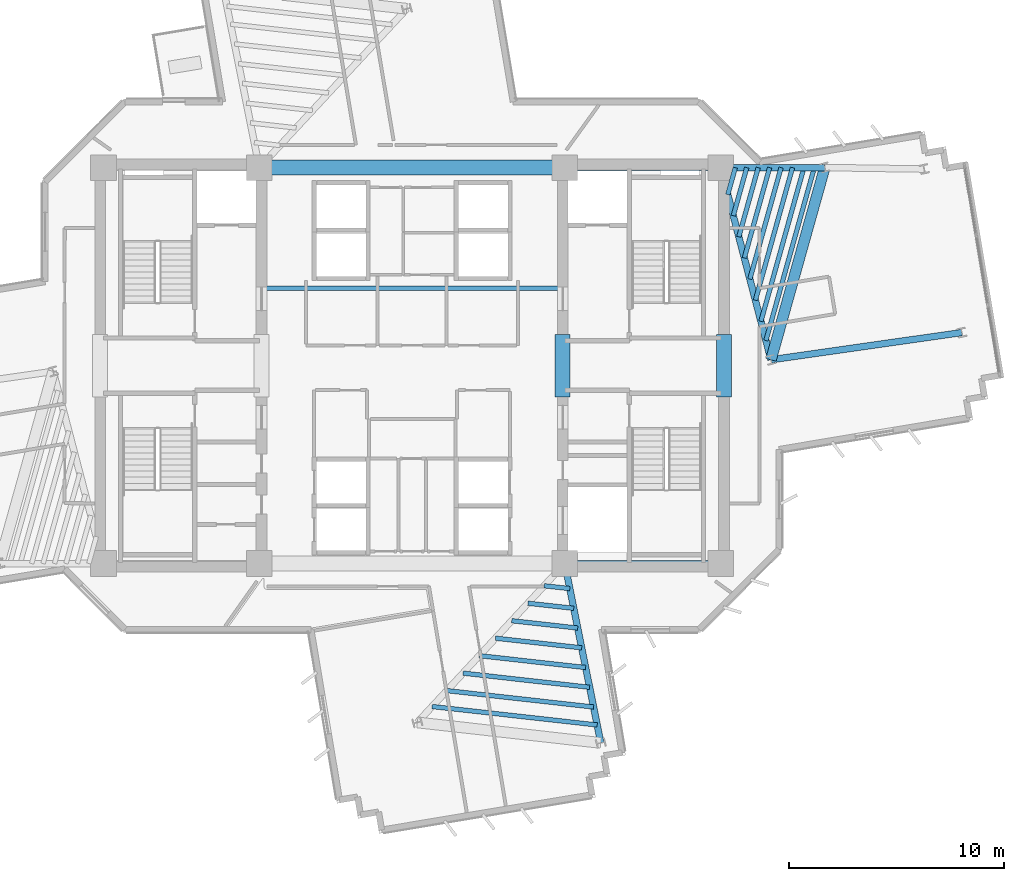
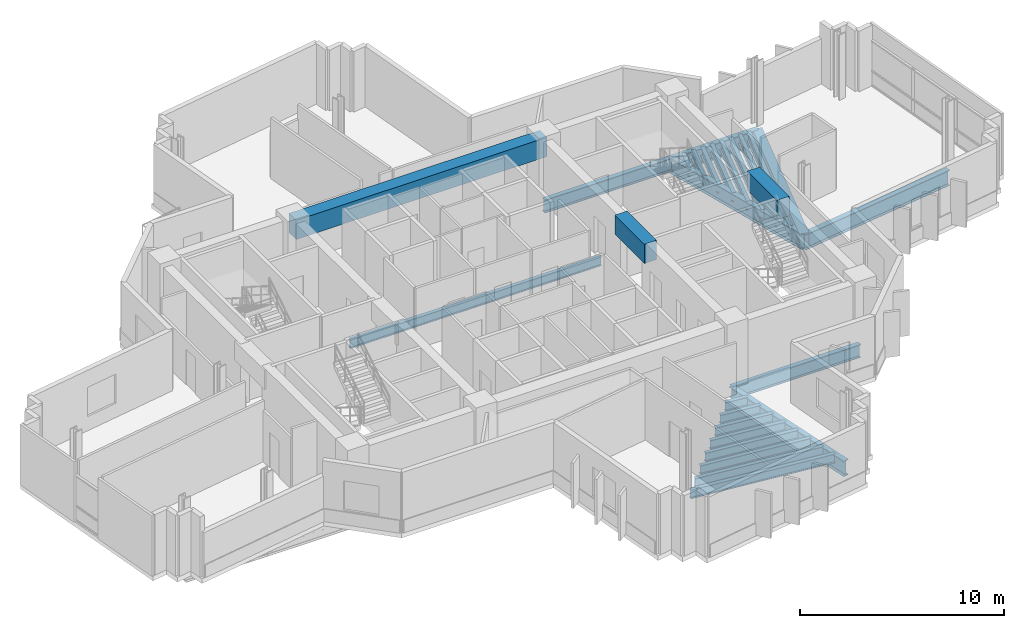
# One storey, part 4 of 15: 27 beams.
"""IFC4 building model written with IfcOpenShell, lengths in metres."""

from ifc_helpers import new_model, si_unit, direction, frame, origin, origin_2d, place, context, subcontext, project, spatial, rectangle, i_section, extrude, source, transform, mapped, material, material_profile, profile_set, type_object, element, save


model = new_model("IFC4")

# Units and contexts
model_context = context("Model", 3, precision=1e-05, world=origin(), true_north=direction((0.0, 1.0)))
body_context = subcontext(model_context, "Body", "Model", "MODEL_VIEW")
ifc_project = project(units=[si_unit("LENGTHUNIT", "METRE"), si_unit("AREAUNIT", "SQUARE_METRE"), si_unit("VOLUMEUNIT", "CUBIC_METRE"), si_unit("PLANEANGLEUNIT", "RADIAN"), si_unit("MASSUNIT", "GRAM", prefix="KILO")], contexts=[model_context])

# Site, building, storey
site_placement = place(None, origin())
site = spatial("IfcSite", under=ifc_project, at=site_placement, CompositionType="ELEMENT")
building_placement = place(site_placement, origin())
building = spatial("IfcBuilding", under=site, at=building_placement, Name="Zahravan Cultural Tower", CompositionType="ELEMENT")
storey_placement = place(building_placement, frame((0.0, 0.0, 139.5)))
storey = spatial("IfcBuildingStorey", under=building, at=storey_placement, Name="L31", CompositionType="ELEMENT", Elevation=139.5)

# Beams
ifc_material_1 = material(Name="Concrete C50/60", Category="concrete")
ifc_material_profile_1 = material_profile(ifc_material_1, rectangle(XDim=0.699951171875, YDim=1.14990234375, at=origin_2d()), Name="RC700X1150")
ifc_profile_set_1 = profile_set([ifc_material_profile_1], Name="Concrete C50/60")
beam_type_1 = type_object("IfcBeamType", Name="BM-LN-RC700X1150", PredefinedType="LINTEL", material=ifc_profile_set_1)
shared_shape_1 = source(origin(), body_context, "Body", "SweptSolid", [
    extrude(rectangle(XDim=0.699951171875, YDim=1.14990234375, at=origin_2d()), origin(), (0.0, 0.0, 1.0), 14.2001953125),
])
beam_1_placement = place(storey_placement, frame((28.89990234375, 36.199951171875, 3.044921875), z_axis=(1.0, 0.0, 0.0), x_axis=(0.0, 1.0, 0.0)))
element("IfcBeam", 1, at=beam_1_placement, inside=storey, type_object=beam_type_1, Name="L31 Beam LN-L31-N", PredefinedType="LINTEL", context=body_context, shape_type="MappedRepresentation", body=[
    mapped(shared_shape_1, transform((0.0, 0.0, 0.0), x_axis=(1.0, 0.0, 0.0), y_axis=(0.0, 1.0, 0.0), z_axis=(0.0, 0.0, 1.0), scale=1.0)),
])
shared_shape_2 = source(origin(), body_context, "Body", "SweptSolid", [
    extrude(rectangle(XDim=0.699951171875, YDim=1.14990234375, at=origin_2d()), origin(), (0.0, 0.0, 1.0), 2.89990234375),
])
for number, where, z_axis, x_axis, name in (
    (2, (43.0, 25.550048828125, 3.044921875), (0.0, 1.0, 0.0), (-1.0, 0.0, 0.0), "L31 Beam LN-L31-PEW"),
    (3, (50.5, 25.550048828125, 3.044921875), (0.0, 1.0, 0.0), (-1.0, 0.0, 0.0), "L31 Beam LN-L31-PEE"),
):
    element("IfcBeam", number, at=place(storey_placement, frame(where, z_axis=z_axis, x_axis=x_axis)), inside=storey, type_object=beam_type_1, Name=name, PredefinedType="LINTEL", context=body_context, shape_type="MappedRepresentation", body=[
        mapped(shared_shape_2, transform((0.0, 0.0, 0.0), x_axis=(1.0, 0.0, 0.0), y_axis=(0.0, 1.0, 0.0), z_axis=(0.0, 0.0, 1.0), scale=1.0)),
    ])
ifc_material_2 = material(Name="Steel ASTM A992 Grade 50", Category="steel")
ifc_material_profile_2 = material_profile(ifc_material_2, i_section(OverallWidth=0.26611328125, OverallDepth=0.780029296875, WebThickness=0.0166015625, FlangeThickness=0.030029296875, FilletRadius=0.01904296875, at=origin_2d()), Name="W30X148")
ifc_profile_set_2 = profile_set([ifc_material_profile_2], Name="Steel ASTM A992 Grade 50")
beam_type_2 = type_object("IfcBeamType", Name="BM-G-W30X148", PredefinedType="BEAM", material=ifc_profile_set_2)
shared_shape_3 = source(origin(), body_context, "Body", "SweptSolid", [
    extrude(i_section(OverallWidth=0.26611328125, OverallDepth=0.780029296875, WebThickness=0.0166015625, FlangeThickness=0.030029296875, FilletRadius=0.01904296875, at=origin_2d()), origin(), (0.0, 0.0, 1.0), 7.25),
])
for number, where, z_axis, x_axis, name in (
    (4, (43.10009765625, 17.800048828125, -0.669921875), (1.0, 0.0, 0.0), (0.0, 1.0, 0.0), "L31 Beam BG-L31-04"),
    (5, (43.10009765625, 36.199951171875, -0.669921875), (1.0, 0.0, 0.0), (0.0, 1.0, 0.0), "L31 Beam BG-L31-05"),
):
    element("IfcBeam", number, at=place(storey_placement, frame(where, z_axis=z_axis, x_axis=x_axis)), inside=storey, type_object=beam_type_2, Name=name, PredefinedType="BEAM", context=body_context, shape_type="MappedRepresentation", body=[
        mapped(shared_shape_3, transform((0.0, 0.0, 0.0), x_axis=(1.0, 0.0, 0.0), y_axis=(0.0, 1.0, 0.0), z_axis=(0.0, 0.0, 1.0), scale=1.0)),
    ])
ifc_material_profile_3 = material_profile(ifc_material_2, i_section(OverallWidth=0.304931640625, OverallDepth=0.9189453125, WebThickness=0.017333984375, FlangeThickness=0.02783203125, FilletRadius=0.02392578125, at=origin_2d()), Name="W36X170")
ifc_profile_set_3 = profile_set([ifc_material_profile_3], Name="Steel ASTM A992 Grade 50")
beam_type_3 = type_object("IfcBeamType", Name="BM-G-W36X170", PredefinedType="BEAM", material=ifc_profile_set_3)
shared_shape_4 = source(origin(), body_context, "Body", "SweptSolid", [
    extrude(i_section(OverallWidth=0.304931640625, OverallDepth=0.9189453125, WebThickness=0.017333984375, FlangeThickness=0.02783203125, FilletRadius=0.02392578125, at=origin_2d()), origin(), (0.0, 0.0, 1.0), 9.22900390625),
])
beam_2_placement = place(storey_placement, frame((50.35009765625, 36.199951171875, -0.739501953125), z_axis=(0.252922608408, -0.967486513682, 0.0), x_axis=(0.967486513682, 0.252922608408, 0.0)))
element("IfcBeam", 6, at=beam_2_placement, inside=storey, type_object=beam_type_3, Name="L31 Beam BG-L31-11", PredefinedType="BEAM", context=body_context, shape_type="MappedRepresentation", body=[
    mapped(shared_shape_4, transform((0.0, 0.0, 0.0), x_axis=(1.0, 0.0, 0.0), y_axis=(0.0, 1.0, 0.0), z_axis=(0.0, 0.0, 1.0), scale=1.0)),
])
shared_shape_5 = source(origin(), body_context, "Body", "SweptSolid", [
    extrude(i_section(OverallWidth=0.304931640625, OverallDepth=0.9189453125, WebThickness=0.017333984375, FlangeThickness=0.02783203125, FilletRadius=0.02392578125, at=origin_2d()), origin(), (0.0, 0.0, 1.0), 4.834716796875),
])
beam_3_placement = place(storey_placement, frame((50.35009765625, 36.199951171875, -0.739501953125), z_axis=(0.99999920313, 0.001262433979, 0.0), x_axis=(-0.001262433979, 0.99999920313, 0.0)))
element("IfcBeam", 7, at=beam_3_placement, inside=storey, type_object=beam_type_3, Name="L31 Beam BG-L31-12", PredefinedType="BEAM", context=body_context, shape_type="MappedRepresentation", body=[
    mapped(shared_shape_5, transform((0.0, 0.0, 0.0), x_axis=(1.0, 0.0, 0.0), y_axis=(0.0, 1.0, 0.0), z_axis=(0.0, 0.0, 1.0), scale=1.0)),
])
shared_shape_6 = source(origin(), body_context, "Body", "SweptSolid", [
    extrude(i_section(OverallWidth=0.304931640625, OverallDepth=0.9189453125, WebThickness=0.017333984375, FlangeThickness=0.02783203125, FilletRadius=0.02392578125, at=origin_2d()), origin(), (0.0, 0.0, 1.0), 8.50732421875),
])
beam_4_placement = place(storey_placement, frame((43.10009765625, 17.800048828125, -0.739501953125), z_axis=(0.196524514012, -0.980498911469, 0.0), x_axis=(0.980498911469, 0.196524514012, 0.0)))
element("IfcBeam", 8, at=beam_4_placement, inside=storey, type_object=beam_type_3, Name="L31 Beam BG-L31-10", PredefinedType="BEAM", context=body_context, shape_type="MappedRepresentation", body=[
    mapped(shared_shape_6, transform((0.0, 0.0, 0.0), x_axis=(1.0, 0.0, 0.0), y_axis=(0.0, 1.0, 0.0), z_axis=(0.0, 0.0, 1.0), scale=1.0)),
])
shared_shape_7 = source(origin(), body_context, "Body", "SweptSolid", [
    extrude(i_section(OverallWidth=0.304931640625, OverallDepth=0.9189453125, WebThickness=0.017333984375, FlangeThickness=0.02783203125, FilletRadius=0.02392578125, at=origin_2d()), origin(), (0.0, 0.0, 1.0), 8.9580078125),
])
beam_5_placement = place(storey_placement, frame((52.684326171875, 27.27099609375, -0.739501953125), z_axis=(0.990000122431, 0.141066500584, 0.0), x_axis=(-0.141066500584, 0.990000122431, 0.0)))
element("IfcBeam", 9, at=beam_5_placement, inside=storey, type_object=beam_type_3, Name="L31 Beam BG-L31-15", PredefinedType="BEAM", context=body_context, shape_type="MappedRepresentation", body=[
    mapped(shared_shape_7, transform((0.0, 0.0, 0.0), x_axis=(1.0, 0.0, 0.0), y_axis=(0.0, 1.0, 0.0), z_axis=(0.0, 0.0, 1.0), scale=1.0)),
])
ifc_material_profile_4 = material_profile(ifc_material_1, rectangle(XDim=0.5, YDim=0.85009765625, at=origin_2d()), Name="RC500X850")
ifc_profile_set_4 = profile_set([ifc_material_profile_4], Name="Concrete C50/60")
beam_type_4 = type_object("IfcBeamType", Name="BM-SP-RC500X850", PredefinedType="SPANDREL", material=ifc_profile_set_4)
shared_shape_8 = source(origin(), body_context, "Body", "SweptSolid", [
    extrude(rectangle(XDim=0.5, YDim=0.85009765625, at=origin_2d()), origin(), (0.0, 0.0, 1.0), 9.2783203125),
])
beam_6_placement = place(storey_placement, frame((52.684326171875, 27.27099609375, -0.705078125), z_axis=(0.269497187032, 0.963001176625, 0.0), x_axis=(-0.963001176625, 0.269497187032, 0.0)))
element("IfcBeam", 10, at=beam_6_placement, inside=storey, type_object=beam_type_4, Name="L31 Beam SP-L31-21", PredefinedType="SPANDREL", context=body_context, shape_type="MappedRepresentation", body=[
    mapped(shared_shape_8, transform((0.0, 0.0, 0.0), x_axis=(1.0, 0.0, 0.0), y_axis=(0.0, 1.0, 0.0), z_axis=(0.0, 0.0, 1.0), scale=1.0)),
])
ifc_material_profile_5 = material_profile(ifc_material_2, i_section(OverallWidth=0.2099609375, OverallDepth=0.532958984375, WebThickness=0.01025390625, FlangeThickness=0.015625, FilletRadius=0.013916015625, at=origin_2d()), Name="W21X62")
ifc_profile_set_5 = profile_set([ifc_material_profile_5], Name="Steel ASTM A992 Grade 50")
beam_type_5 = type_object("IfcBeamType", Name="BM-J-W21X62", PredefinedType="JOIST", material=ifc_profile_set_5)
shared_shape_9 = source(origin(), body_context, "Body", "SweptSolid", [
    extrude(i_section(OverallWidth=0.2099609375, OverallDepth=0.532958984375, WebThickness=0.01025390625, FlangeThickness=0.015625, FilletRadius=0.013916015625, at=origin_2d()), origin(), (0.0, 0.0, 1.0), 14.2001953125),
])
beam_7_placement = place(storey_placement, frame((28.89990234375, 30.60009765625, -0.54638671875), z_axis=(1.0, 0.0, 0.0), x_axis=(0.0, 1.0, 0.0)))
element("IfcBeam", 11, at=beam_7_placement, inside=storey, type_object=beam_type_5, Name="L31 Beam BJ-L31-23", PredefinedType="JOIST", context=body_context, shape_type="MappedRepresentation", body=[
    mapped(shared_shape_9, transform((0.0, 0.0, 0.0), x_axis=(1.0, 0.0, 0.0), y_axis=(0.0, 1.0, 0.0), z_axis=(0.0, 0.0, 1.0), scale=1.0)),
])
shared_shape_10 = source(origin(), body_context, "Body", "SweptSolid", [
    extrude(i_section(OverallWidth=0.2099609375, OverallDepth=0.532958984375, WebThickness=0.01025390625, FlangeThickness=0.015625, FilletRadius=0.013916015625, at=origin_2d()), origin(), (0.0, 0.0, 1.0), 1.299072265625),
])
beam_8_placement = place(storey_placement, frame((50.6767578125, 34.949951171875, -0.54638671875), z_axis=(0.269504444708, 0.962999145525, 0.0), x_axis=(-0.962999145525, 0.269504444708, 0.0)))
element("IfcBeam", 12, at=beam_8_placement, inside=storey, type_object=beam_type_5, Name="L31 Beam BJ-L31-40", PredefinedType="JOIST", context=body_context, shape_type="MappedRepresentation", body=[
    mapped(shared_shape_10, transform((0.0, 0.0, 0.0), x_axis=(1.0, 0.0, 0.0), y_axis=(0.0, 1.0, 0.0), z_axis=(0.0, 0.0, 1.0), scale=1.0)),
])
shared_shape_11 = source(origin(), body_context, "Body", "SweptSolid", [
    extrude(i_section(OverallWidth=0.2099609375, OverallDepth=0.532958984375, WebThickness=0.01025390625, FlangeThickness=0.015625, FilletRadius=0.013916015625, at=origin_2d()), origin(), (0.0, 0.0, 1.0), 2.3193359375),
])
beam_9_placement = place(storey_placement, frame((50.93359375, 33.9677734375, -0.54638671875), z_axis=(0.269462038626, 0.963011012263, 0.0), x_axis=(-0.963011012263, 0.269462038626, 0.0)))
element("IfcBeam", 13, at=beam_9_placement, inside=storey, type_object=beam_type_5, Name="L31 Beam BJ-L31-41", PredefinedType="JOIST", context=body_context, shape_type="MappedRepresentation", body=[
    mapped(shared_shape_11, transform((0.0, 0.0, 0.0), x_axis=(1.0, 0.0, 0.0), y_axis=(0.0, 1.0, 0.0), z_axis=(0.0, 0.0, 1.0), scale=1.0)),
])
shared_shape_12 = source(origin(), body_context, "Body", "SweptSolid", [
    extrude(i_section(OverallWidth=0.2099609375, OverallDepth=0.532958984375, WebThickness=0.01025390625, FlangeThickness=0.015625, FilletRadius=0.013916015625, at=origin_2d()), origin(), (0.0, 0.0, 1.0), 3.340087890625),
])
beam_10_placement = place(storey_placement, frame((51.190185546875, 32.985595703125, -0.54638671875), z_axis=(0.269562146951, 0.962982995141, 0.0), x_axis=(-0.962982995141, 0.269562146951, 0.0)))
element("IfcBeam", 14, at=beam_10_placement, inside=storey, type_object=beam_type_5, Name="L31 Beam BJ-L31-42", PredefinedType="JOIST", context=body_context, shape_type="MappedRepresentation", body=[
    mapped(shared_shape_12, transform((0.0, 0.0, 0.0), x_axis=(1.0, 0.0, 0.0), y_axis=(0.0, 1.0, 0.0), z_axis=(0.0, 0.0, 1.0), scale=1.0)),
])
shared_shape_13 = source(origin(), body_context, "Body", "SweptSolid", [
    extrude(i_section(OverallWidth=0.2099609375, OverallDepth=0.532958984375, WebThickness=0.01025390625, FlangeThickness=0.015625, FilletRadius=0.013916015625, at=origin_2d()), origin(), (0.0, 0.0, 1.0), 4.36083984375),
])
beam_11_placement = place(storey_placement, frame((51.447021484375, 32.00341796875, -0.54638671875), z_axis=(0.269511557673, 0.962997154866, 0.0), x_axis=(-0.962997154866, 0.269511557673, 0.0)))
element("IfcBeam", 15, at=beam_11_placement, inside=storey, type_object=beam_type_5, Name="L31 Beam BJ-L31-43", PredefinedType="JOIST", context=body_context, shape_type="MappedRepresentation", body=[
    mapped(shared_shape_13, transform((0.0, 0.0, 0.0), x_axis=(1.0, 0.0, 0.0), y_axis=(0.0, 1.0, 0.0), z_axis=(0.0, 0.0, 1.0), scale=1.0)),
])
shared_shape_14 = source(origin(), body_context, "Body", "SweptSolid", [
    extrude(i_section(OverallWidth=0.2099609375, OverallDepth=0.532958984375, WebThickness=0.01025390625, FlangeThickness=0.015625, FilletRadius=0.013916015625, at=origin_2d()), origin(), (0.0, 0.0, 1.0), 5.3818359375),
])
beam_12_placement = place(storey_placement, frame((51.703857421875, 31.02099609375, -0.54638671875), z_axis=(0.269510454638, 0.962997463569, 0.0), x_axis=(-0.962997463569, 0.269510454638, 0.0)))
element("IfcBeam", 16, at=beam_12_placement, inside=storey, type_object=beam_type_5, Name="L31 Beam BJ-L31-44", PredefinedType="JOIST", context=body_context, shape_type="MappedRepresentation", body=[
    mapped(shared_shape_14, transform((0.0, 0.0, 0.0), x_axis=(1.0, 0.0, 0.0), y_axis=(0.0, 1.0, 0.0), z_axis=(0.0, 0.0, 1.0), scale=1.0)),
])
shared_shape_15 = source(origin(), body_context, "Body", "SweptSolid", [
    extrude(i_section(OverallWidth=0.2099609375, OverallDepth=0.532958984375, WebThickness=0.01025390625, FlangeThickness=0.015625, FilletRadius=0.013916015625, at=origin_2d()), origin(), (0.0, 0.0, 1.0), 6.402099609375),
])
beam_13_placement = place(storey_placement, frame((51.960693359375, 30.038818359375, -0.54638671875), z_axis=(0.269494133533, 0.963002031146, 0.0), x_axis=(-0.963002031146, 0.269494133533, 0.0)))
element("IfcBeam", 17, at=beam_13_placement, inside=storey, type_object=beam_type_5, Name="L31 Beam BJ-L31-45", PredefinedType="JOIST", context=body_context, shape_type="MappedRepresentation", body=[
    mapped(shared_shape_15, transform((0.0, 0.0, 0.0), x_axis=(1.0, 0.0, 0.0), y_axis=(0.0, 1.0, 0.0), z_axis=(0.0, 0.0, 1.0), scale=1.0)),
])
shared_shape_16 = source(origin(), body_context, "Body", "SweptSolid", [
    extrude(i_section(OverallWidth=0.2099609375, OverallDepth=0.532958984375, WebThickness=0.01025390625, FlangeThickness=0.015625, FilletRadius=0.013916015625, at=origin_2d()), origin(), (0.0, 0.0, 1.0), 7.4228515625),
])
beam_14_placement = place(storey_placement, frame((52.21728515625, 29.056640625, -0.54638671875), z_axis=(0.269504266128, 0.962999195503, 0.0), x_axis=(-0.962999195503, 0.269504266128, 0.0)))
element("IfcBeam", 18, at=beam_14_placement, inside=storey, type_object=beam_type_5, Name="L31 Beam BJ-L31-46", PredefinedType="JOIST", context=body_context, shape_type="MappedRepresentation", body=[
    mapped(shared_shape_16, transform((0.0, 0.0, 0.0), x_axis=(1.0, 0.0, 0.0), y_axis=(0.0, 1.0, 0.0), z_axis=(0.0, 0.0, 1.0), scale=1.0)),
])
shared_shape_17 = source(origin(), body_context, "Body", "SweptSolid", [
    extrude(i_section(OverallWidth=0.2099609375, OverallDepth=0.532958984375, WebThickness=0.01025390625, FlangeThickness=0.015625, FilletRadius=0.013916015625, at=origin_2d()), origin(), (0.0, 0.0, 1.0), 8.350830078125),
])
beam_15_placement = place(storey_placement, frame((52.450927734375, 28.163818359375, -0.54638671875), z_axis=(0.269496539555, 0.963001357822, 0.0), x_axis=(-0.963001357822, 0.269496539555, 0.0)))
element("IfcBeam", 19, at=beam_15_placement, inside=storey, type_object=beam_type_5, Name="L31 Beam BJ-L31-47", PredefinedType="JOIST", context=body_context, shape_type="MappedRepresentation", body=[
    mapped(shared_shape_17, transform((0.0, 0.0, 0.0), x_axis=(1.0, 0.0, 0.0), y_axis=(0.0, 1.0, 0.0), z_axis=(0.0, 0.0, 1.0), scale=1.0)),
])
shared_shape_18 = source(origin(), body_context, "Body", "SweptSolid", [
    extrude(i_section(OverallWidth=0.2099609375, OverallDepth=0.532958984375, WebThickness=0.01025390625, FlangeThickness=0.015625, FilletRadius=0.013916015625, at=origin_2d()), origin(), (0.0, 0.0, 1.0), 1.201171875),
])
beam_16_placement = place(storey_placement, frame((42.140380859375, 16.765625, -0.54638671875), z_axis=(0.99379916149, -0.111190047317, 0.0), x_axis=(0.111190047317, 0.99379916149, 0.0)))
element("IfcBeam", 20, at=beam_16_placement, inside=storey, type_object=beam_type_5, Name="L31 Beam BJ-L31-32", PredefinedType="JOIST", context=body_context, shape_type="MappedRepresentation", body=[
    mapped(shared_shape_18, transform((0.0, 0.0, 0.0), x_axis=(1.0, 0.0, 0.0), y_axis=(0.0, 1.0, 0.0), z_axis=(0.0, 0.0, 1.0), scale=1.0)),
])
shared_shape_19 = source(origin(), body_context, "Body", "SweptSolid", [
    extrude(i_section(OverallWidth=0.2099609375, OverallDepth=0.532958984375, WebThickness=0.01025390625, FlangeThickness=0.015625, FilletRadius=0.013916015625, at=origin_2d()), origin(), (0.0, 0.0, 1.0), 2.144775390625),
])
beam_17_placement = place(storey_placement, frame((41.386474609375, 15.953125, -0.54638671875), z_axis=(0.993797370806, -0.111206051, 0.0), x_axis=(0.111206051, 0.993797370806, 0.0)))
element("IfcBeam", 21, at=beam_17_placement, inside=storey, type_object=beam_type_5, Name="L31 Beam BJ-L31-33", PredefinedType="JOIST", context=body_context, shape_type="MappedRepresentation", body=[
    mapped(shared_shape_19, transform((0.0, 0.0, 0.0), x_axis=(1.0, 0.0, 0.0), y_axis=(0.0, 1.0, 0.0), z_axis=(0.0, 0.0, 1.0), scale=1.0)),
])
shared_shape_20 = source(origin(), body_context, "Body", "SweptSolid", [
    extrude(i_section(OverallWidth=0.2099609375, OverallDepth=0.532958984375, WebThickness=0.01025390625, FlangeThickness=0.015625, FilletRadius=0.013916015625, at=origin_2d()), origin(), (0.0, 0.0, 1.0), 3.088623046875),
])
beam_18_placement = place(storey_placement, frame((40.63232421875, 15.140380859375, -0.54638671875), z_axis=(0.993805407368, -0.111134208443, 0.0), x_axis=(0.111134208443, 0.993805407368, 0.0)))
element("IfcBeam", 22, at=beam_18_placement, inside=storey, type_object=beam_type_5, Name="L31 Beam BJ-L31-34", PredefinedType="JOIST", context=body_context, shape_type="MappedRepresentation", body=[
    mapped(shared_shape_20, transform((0.0, 0.0, 0.0), x_axis=(1.0, 0.0, 0.0), y_axis=(0.0, 1.0, 0.0), z_axis=(0.0, 0.0, 1.0), scale=1.0)),
])
shared_shape_21 = source(origin(), body_context, "Body", "SweptSolid", [
    extrude(i_section(OverallWidth=0.2099609375, OverallDepth=0.532958984375, WebThickness=0.01025390625, FlangeThickness=0.015625, FilletRadius=0.013916015625, at=origin_2d()), origin(), (0.0, 0.0, 1.0), 4.0322265625),
])
beam_19_placement = place(storey_placement, frame((39.87841796875, 14.327880859375, -0.54638671875), z_axis=(0.993802245601, -0.11116247855, 0.0), x_axis=(0.11116247855, 0.993802245601, 0.0)))
element("IfcBeam", 23, at=beam_19_placement, inside=storey, type_object=beam_type_5, Name="L31 Beam BJ-L31-35", PredefinedType="JOIST", context=body_context, shape_type="MappedRepresentation", body=[
    mapped(shared_shape_21, transform((0.0, 0.0, 0.0), x_axis=(1.0, 0.0, 0.0), y_axis=(0.0, 1.0, 0.0), z_axis=(0.0, 0.0, 1.0), scale=1.0)),
])
shared_shape_22 = source(origin(), body_context, "Body", "SweptSolid", [
    extrude(i_section(OverallWidth=0.2099609375, OverallDepth=0.532958984375, WebThickness=0.01025390625, FlangeThickness=0.015625, FilletRadius=0.013916015625, at=origin_2d()), origin(), (0.0, 0.0, 1.0), 4.97607421875),
])
beam_20_placement = place(storey_placement, frame((39.124267578125, 13.51513671875, -0.54638671875), z_axis=(0.993806308517, -0.111126149723, 0.0), x_axis=(0.111126149723, 0.993806308517, 0.0)))
element("IfcBeam", 24, at=beam_20_placement, inside=storey, type_object=beam_type_5, Name="L31 Beam BJ-L31-36", PredefinedType="JOIST", context=body_context, shape_type="MappedRepresentation", body=[
    mapped(shared_shape_22, transform((0.0, 0.0, 0.0), x_axis=(1.0, 0.0, 0.0), y_axis=(0.0, 1.0, 0.0), z_axis=(0.0, 0.0, 1.0), scale=1.0)),
])
shared_shape_23 = source(origin(), body_context, "Body", "SweptSolid", [
    extrude(i_section(OverallWidth=0.2099609375, OverallDepth=0.532958984375, WebThickness=0.01025390625, FlangeThickness=0.015625, FilletRadius=0.013916015625, at=origin_2d()), origin(), (0.0, 0.0, 1.0), 5.919921875),
])
beam_21_placement = place(storey_placement, frame((38.370361328125, 12.70263671875, -0.54638671875), z_axis=(0.993804520866, -0.111142135602, 0.0), x_axis=(0.111142135602, 0.993804520866, 0.0)))
element("IfcBeam", 25, at=beam_21_placement, inside=storey, type_object=beam_type_5, Name="L31 Beam BJ-L31-37", PredefinedType="JOIST", context=body_context, shape_type="MappedRepresentation", body=[
    mapped(shared_shape_23, transform((0.0, 0.0, 0.0), x_axis=(1.0, 0.0, 0.0), y_axis=(0.0, 1.0, 0.0), z_axis=(0.0, 0.0, 1.0), scale=1.0)),
])
shared_shape_24 = source(origin(), body_context, "Body", "SweptSolid", [
    extrude(i_section(OverallWidth=0.2099609375, OverallDepth=0.532958984375, WebThickness=0.01025390625, FlangeThickness=0.015625, FilletRadius=0.013916015625, at=origin_2d()), origin(), (0.0, 0.0, 1.0), 6.86376953125),
])
beam_22_placement = place(storey_placement, frame((37.6162109375, 11.889892578125, -0.54638671875), z_axis=(0.993803224695, -0.111153725024, 0.0), x_axis=(0.111153725024, 0.993803224695, 0.0)))
element("IfcBeam", 26, at=beam_22_placement, inside=storey, type_object=beam_type_5, Name="L31 Beam BJ-L31-38", PredefinedType="JOIST", context=body_context, shape_type="MappedRepresentation", body=[
    mapped(shared_shape_24, transform((0.0, 0.0, 0.0), x_axis=(1.0, 0.0, 0.0), y_axis=(0.0, 1.0, 0.0), z_axis=(0.0, 0.0, 1.0), scale=1.0)),
])
shared_shape_25 = source(origin(), body_context, "Body", "SweptSolid", [
    extrude(i_section(OverallWidth=0.2099609375, OverallDepth=0.532958984375, WebThickness=0.01025390625, FlangeThickness=0.015625, FilletRadius=0.013916015625, at=origin_2d()), origin(), (0.0, 0.0, 1.0), 7.7216796875),
])
beam_23_placement = place(storey_placement, frame((36.930908203125, 11.151123046875, -0.54638671875), z_axis=(0.993805212115, -0.11113595446, 0.0), x_axis=(0.11113595446, 0.993805212115, 0.0)))
element("IfcBeam", 27, at=beam_23_placement, inside=storey, type_object=beam_type_5, Name="L31 Beam BJ-L31-39", PredefinedType="JOIST", context=body_context, shape_type="MappedRepresentation", body=[
    mapped(shared_shape_25, transform((0.0, 0.0, 0.0), x_axis=(1.0, 0.0, 0.0), y_axis=(0.0, 1.0, 0.0), z_axis=(0.0, 0.0, 1.0), scale=1.0)),
])

save(model, "model.ifc")
